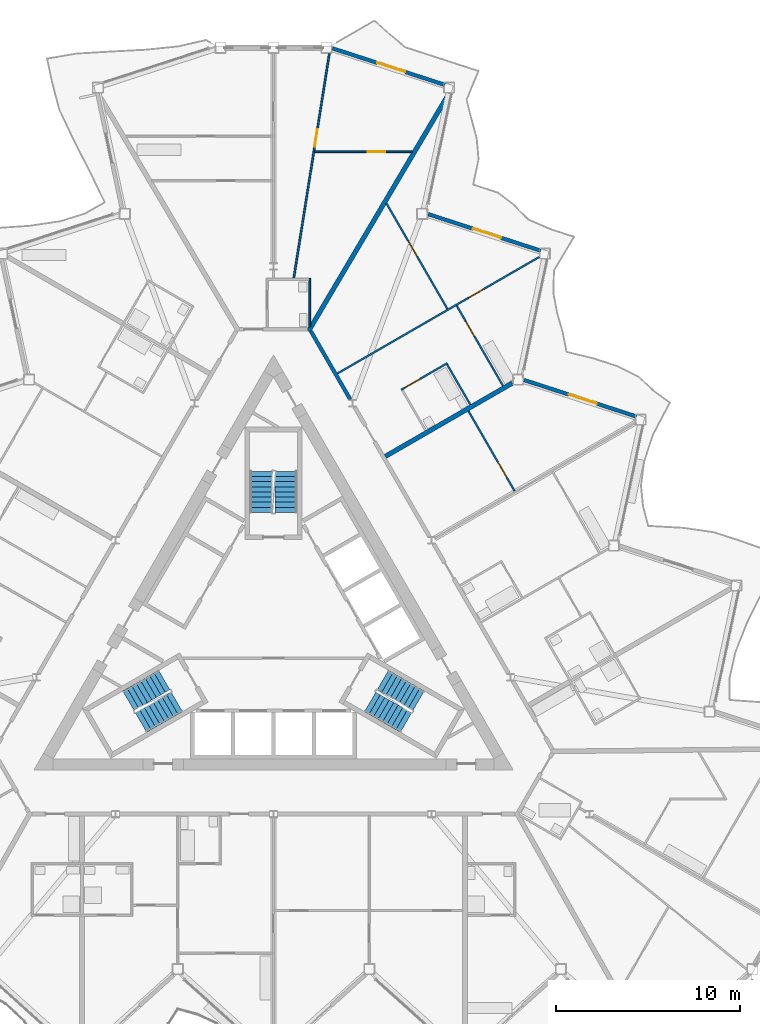
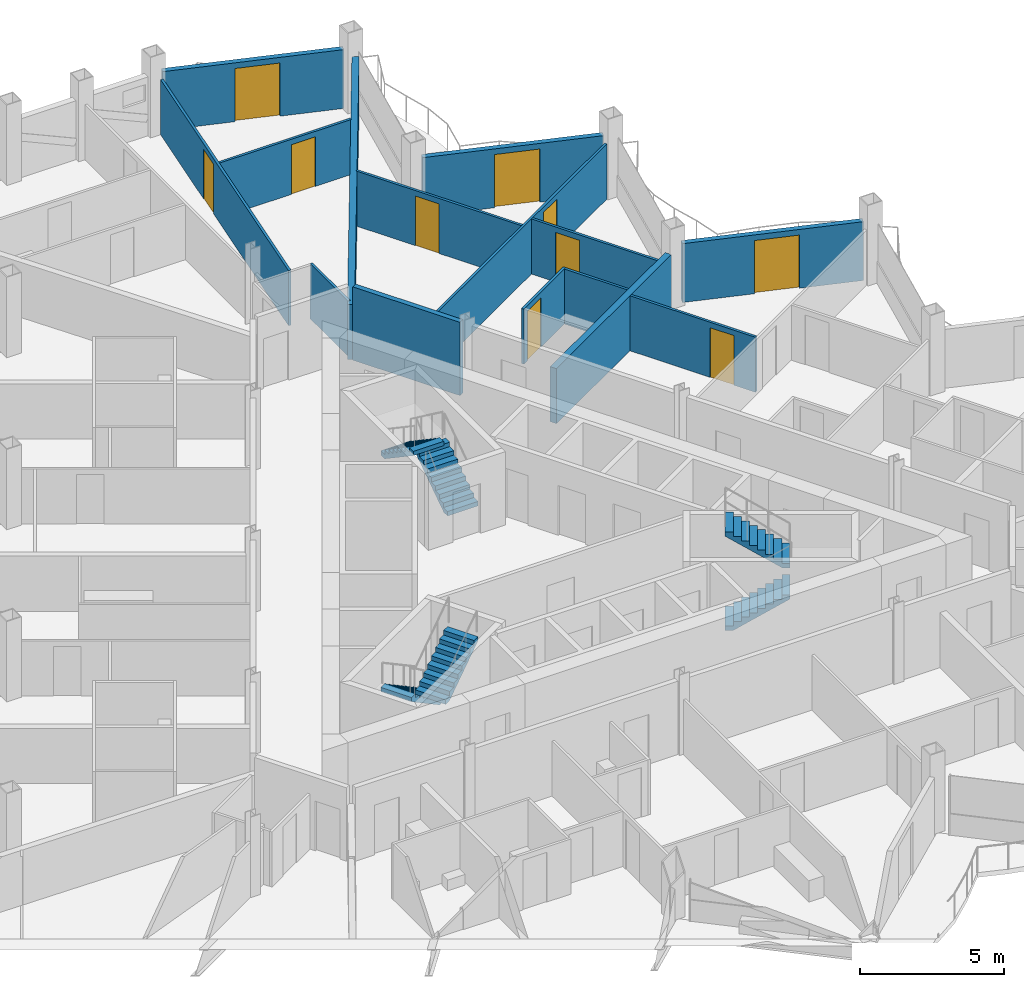
# One storey, part 19 of 27: 15 walls, 10 doors, 6 stair flights, 10 openings, 3 elements without a shape of their own.
"""IFC4 building model written with IfcOpenShell, lengths in metres."""

from ifc_helpers import new_model, si_unit, direction, frame, frame_2d, origin, place, context, subcontext, project, spatial, polyline, rectangle, outline, extrude, material, layer, layer_set, type_object, element, fill, aggregate, save


model = new_model("IFC4")

# Units and contexts
model_context = context("Model", 3, precision=1e-05, world=origin(), true_north=direction((0.0, 1.0)))
body_context = subcontext(model_context, "Body", "Model", "MODEL_VIEW")
ifc_project = project(units=[si_unit("LENGTHUNIT", "METRE"), si_unit("AREAUNIT", "SQUARE_METRE"), si_unit("VOLUMEUNIT", "CUBIC_METRE"), si_unit("PLANEANGLEUNIT", "RADIAN"), si_unit("MASSUNIT", "GRAM", prefix="KILO")], contexts=[model_context])

# Site, building, storey
site_placement = place(None, origin())
site = spatial("IfcSite", under=ifc_project, at=site_placement, CompositionType="ELEMENT")
building_placement = place(site_placement, origin())
building = spatial("IfcBuilding", under=site, at=building_placement, Name="Cormorant Prow Tower", CompositionType="ELEMENT")
storey_placement = place(building_placement, frame((0.0, 0.0, 332.39990234375)))
storey = spatial("IfcBuildingStorey", under=building, at=storey_placement, Name="L74", CompositionType="ELEMENT", Elevation=332.39990234375)

# Wall
ifc_material_1 = material(Name="Gypsum board corridor wall")
ifc_layer_1 = layer(ifc_material_1, 0.199951171875)
ifc_layer_set_1 = layer_set([ifc_layer_1], Name="Gypsum board corridor wall")
wall_type_1 = type_object("IfcWallType", Name="Corridor wall 200", PredefinedType="PARTITIONING", material=ifc_layer_set_1)
wall_1_placement = place(storey_placement, frame((2.025390625, 16.302978515625, 0.0), z_axis=(0.0, 0.0, 1.0), x_axis=(0.499978750566, -0.866037671803, 0.0)))
element("IfcWall", 1, at=wall_1_placement, inside=storey, type_object=wall_type_1, Name="Corridor wall", PredefinedType="PARTITIONING", context=body_context, shape_type="SweptSolid", body=[
    extrude(rectangle(XDim=4.287841796875, YDim=0.199951171875, at=frame_2d((2.14404296875, 0.0))), origin(), (0.0, 0.0, 1.0), 3.10009765625),
])

# Wall, opening, door
ifc_material_2 = material(Name="Gypsum board partition")
ifc_layer_2 = layer(ifc_material_2, 0.10009765625)
ifc_layer_set_2 = layer_set([ifc_layer_2], Name="Gypsum board partition")
wall_type_2 = type_object("IfcWallType", Name="Internal partition 100", PredefinedType="PARTITIONING", material=ifc_layer_set_2)
wall_2_placement = place(storey_placement, frame((3.46875, 14.0029296875, 0.0), z_axis=(0.0, 0.0, 1.0), x_axis=(0.866021563384, 0.50000665171, 0.0)))
wall_2 = element("IfcWall", 2, at=wall_2_placement, inside=storey, type_object=wall_type_2, Name="Internal partition", PredefinedType="PARTITIONING", context=body_context, shape_type="SweptSolid", body=[
    extrude(rectangle(XDim=12.641357421875, YDim=0.10009765625, at=frame_2d((6.32080078125, 0.0))), origin(), (0.0, 0.0, 1.0), 2.330078125),
])
opening_1_placement = place(wall_2_placement, frame((8.215087890625, 0.0, 0.0)))
opening_1 = element("IfcOpeningElement", 3, at=opening_1_placement, cuts=wall_2, Name="Opening L74-F35", PredefinedType="OPENING", context=body_context, shape_type="SweptSolid", body=[
    extrude(rectangle(XDim=0.949951171875, YDim=2.10009765625, at=frame_2d((0.47509765625, 1.050048828125))), frame((0.0, 0.06005859375, 0.0), z_axis=(0.0, -1.0, 0.0), x_axis=(1.0, 0.0, 0.0)), (0.0, 0.0, 1.0), 0.1201171875),
])
ifc_material_3 = material(Name="Timber door leaf", Category="wood")
door_type_1 = type_object("IfcDoorType", Name="Bathroom door 950x2100", OperationType="NOTDEFINED", PredefinedType="DOOR", material=ifc_material_3)
door_1_placement = place(opening_1_placement, origin())
door_1 = element("IfcDoor", 4, at=door_1_placement, inside=storey, type_object=door_type_1, Name="Kitchen door", OperationType="SINGLE_SWING_LEFT", OverallHeight=2.10009765625, OverallWidth=0.949951171875, PredefinedType="DOOR", context=body_context, shape_type="SweptSolid", body=[
    extrude(rectangle(XDim=0.949951171875, YDim=2.10009765625, at=frame_2d((0.47509765625, 1.050048828125))), frame((0.0, 0.02490234375, 0.0), z_axis=(0.0, -1.0, 0.0), x_axis=(1.0, 0.0, 0.0)), (0.0, 0.0, 1.0), 0.050048828125),
])
fill(opening_1, door_1)

wall_3_placement = place(storey_placement, frame((1.097900390625, 19.160400390625, 0.0), z_axis=(0.0, 0.0, 1.0), x_axis=(0.156426176129, 0.987689653394, 0.0)))
wall_3 = element("IfcWall", 5, at=wall_3_placement, inside=storey, type_object=wall_type_2, Name="Internal partition", PredefinedType="PARTITIONING", context=body_context, shape_type="SweptSolid", body=[
    extrude(rectangle(XDim=12.35791015625, YDim=0.10009765625, at=frame_2d((6.178955078125, 0.0))), origin(), (0.0, 0.0, 1.0), 2.330078125),
])
opening_2_placement = place(wall_3_placement, frame((7.2548828125, 0.0, 0.0)))
opening_2 = element("IfcOpeningElement", 6, at=opening_2_placement, cuts=wall_3, Name="Opening L74-F42", PredefinedType="OPENING", context=body_context, shape_type="SweptSolid", body=[
    extrude(rectangle(XDim=0.949951171875, YDim=2.10009765625, at=frame_2d((0.47509765625, 1.050048828125))), frame((0.0, 0.06005859375, 0.0), z_axis=(0.0, -1.0, 0.0), x_axis=(1.0, 0.0, 0.0)), (0.0, 0.0, 1.0), 0.1201171875),
])
door_2_placement = place(opening_2_placement, origin())
door_2 = element("IfcDoor", 7, at=door_2_placement, inside=storey, type_object=door_type_1, Name="Bedroom door", OperationType="SINGLE_SWING_LEFT", OverallHeight=2.10009765625, OverallWidth=0.949951171875, PredefinedType="DOOR", context=body_context, shape_type="SweptSolid", body=[
    extrude(rectangle(XDim=0.949951171875, YDim=2.10009765625, at=frame_2d((0.47509765625, 1.050048828125))), frame((0.0, 0.02490234375, 0.0), z_axis=(0.0, -1.0, 0.0), x_axis=(1.0, 0.0, 0.0)), (0.0, 0.0, 1.0), 0.050048828125),
])
fill(opening_2, door_2)

wall_4_placement = place(storey_placement, frame((6.127197265625, 23.2412109375, 0.0), z_axis=(0.0, 0.0, 1.0), x_axis=(0.500021410345, -0.866013042163, 0.0)))
wall_4 = element("IfcWall", 8, at=wall_4_placement, inside=storey, type_object=wall_type_2, Name="Internal partition", PredefinedType="PARTITIONING", context=body_context, shape_type="SweptSolid", body=[
    extrude(rectangle(XDim=6.621337890625, YDim=0.10009765625, at=frame_2d((3.310546875, 0.0))), origin(), (0.0, 0.0, 1.0), 2.330078125),
])
opening_3_placement = place(wall_4_placement, frame((2.37939453125, 0.0, 0.0)))
opening_3 = element("IfcOpeningElement", 9, at=opening_3_placement, cuts=wall_4, Name="Opening L74-F36", PredefinedType="OPENING", context=body_context, shape_type="SweptSolid", body=[
    extrude(rectangle(XDim=0.949951171875, YDim=2.10009765625, at=frame_2d((0.47509765625, 1.050048828125))), frame((0.0, 0.06005859375, 0.0), z_axis=(0.0, -1.0, 0.0), x_axis=(1.0, 0.0, 0.0)), (0.0, 0.0, 1.0), 0.1201171875),
])
door_3_placement = place(opening_3_placement, origin())
door_3 = element("IfcDoor", 10, at=door_3_placement, inside=storey, type_object=door_type_1, Name="Bedroom door", OperationType="SINGLE_SWING_RIGHT", OverallHeight=2.10009765625, OverallWidth=0.949951171875, PredefinedType="DOOR", context=body_context, shape_type="SweptSolid", body=[
    extrude(rectangle(XDim=0.949951171875, YDim=2.10009765625, at=frame_2d((0.47509765625, 1.050048828125))), frame((0.0, 0.02490234375, 0.0), z_axis=(0.0, -1.0, 0.0), x_axis=(1.0, 0.0, 0.0)), (0.0, 0.0, 1.0), 0.050048828125),
])
fill(opening_3, door_3)

wall_5_placement = place(storey_placement, frame((2.236572265625, 26.034423828125, 0.0), z_axis=(0.0, 0.0, 1.0), x_axis=(1.0, 0.0, 0.0)))
wall_5 = element("IfcWall", 11, at=wall_5_placement, inside=storey, type_object=wall_type_2, Name="Internal partition", PredefinedType="PARTITIONING", context=body_context, shape_type="SweptSolid", body=[
    extrude(rectangle(XDim=5.282470703125, YDim=0.10009765625, at=frame_2d((2.64111328125, 0.0))), origin(), (0.0, 0.0, 1.0), 2.330078125),
])
opening_4_placement = place(wall_5_placement, frame((2.8720703125, 0.0, 0.0)))
opening_4 = element("IfcOpeningElement", 12, at=opening_4_placement, cuts=wall_5, Name="Opening L74-F43", PredefinedType="OPENING", context=body_context, shape_type="SweptSolid", body=[
    extrude(rectangle(XDim=0.949951171875, YDim=2.10009765625, at=frame_2d((0.47509765625, 1.050048828125))), frame((0.0, 0.06005859375, 0.0), z_axis=(0.0, -1.0, 0.0), x_axis=(1.0, 0.0, 0.0)), (0.0, 0.0, 1.0), 0.1201171875),
])
door_4_placement = place(opening_4_placement, origin())
door_4 = element("IfcDoor", 13, at=door_4_placement, inside=storey, type_object=door_type_1, Name="Bedroom door", OperationType="SINGLE_SWING_RIGHT", OverallHeight=2.10009765625, OverallWidth=0.949951171875, PredefinedType="DOOR", context=body_context, shape_type="SweptSolid", body=[
    extrude(rectangle(XDim=0.949951171875, YDim=2.10009765625, at=frame_2d((0.47509765625, 1.050048828125))), frame((0.0, 0.02490234375, 0.0), z_axis=(0.0, -1.0, 0.0), x_axis=(1.0, 0.0, 0.0)), (0.0, 0.0, 1.0), 0.050048828125),
])
fill(opening_4, door_4)

wall_6_placement = place(storey_placement, frame((10.579345703125, 11.9638671875, 0.0), z_axis=(0.0, 0.0, 1.0), x_axis=(0.499972176429, -0.866041467135, 0.0)))
wall_6 = element("IfcWall", 14, at=wall_6_placement, inside=storey, type_object=wall_type_2, Name="Internal partition", PredefinedType="PARTITIONING", context=body_context, shape_type="SweptSolid", body=[
    extrude(rectangle(XDim=5.021240234375, YDim=0.10009765625, at=frame_2d((2.5107421875, 0.0))), origin(), (0.0, 0.0, 1.0), 2.330078125),
])
opening_5_placement = place(wall_6_placement, frame((3.208984375, 0.0, 0.0)))
opening_5 = element("IfcOpeningElement", 15, at=opening_5_placement, cuts=wall_6, Name="Opening L74-F30", PredefinedType="OPENING", context=body_context, shape_type="SweptSolid", body=[
    extrude(rectangle(XDim=0.949951171875, YDim=2.10009765625, at=frame_2d((0.47509765625, 1.050048828125))), frame((0.0, 0.06005859375, 0.0), z_axis=(0.0, -1.0, 0.0), x_axis=(1.0, 0.0, 0.0)), (0.0, 0.0, 1.0), 0.1201171875),
])
door_5_placement = place(opening_5_placement, origin())
door_5 = element("IfcDoor", 16, at=door_5_placement, inside=storey, type_object=door_type_1, Name="Bedroom door", OperationType="SINGLE_SWING_RIGHT", OverallHeight=2.10009765625, OverallWidth=0.949951171875, PredefinedType="DOOR", context=body_context, shape_type="SweptSolid", body=[
    extrude(rectangle(XDim=0.949951171875, YDim=2.10009765625, at=frame_2d((0.47509765625, 1.050048828125))), frame((0.0, 0.02490234375, 0.0), z_axis=(0.0, -1.0, 0.0), x_axis=(1.0, 0.0, 0.0)), (0.0, 0.0, 1.0), 0.050048828125),
])
fill(opening_5, door_5)

wall_7_placement = place(storey_placement, frame((9.943603515625, 17.68359375, 0.0), z_axis=(0.0, 0.0, 1.0), x_axis=(0.499972176429, -0.866041467135, 0.0)))
wall_7 = element("IfcWall", 17, at=wall_7_placement, inside=storey, type_object=wall_type_2, Name="Internal partition", PredefinedType="PARTITIONING", context=body_context, shape_type="SweptSolid", body=[
    extrude(rectangle(XDim=5.021240234375, YDim=0.10009765625, at=frame_2d((2.5107421875, 0.0))), origin(), (0.0, 0.0, 1.0), 2.330078125),
])
opening_6_placement = place(wall_7_placement, frame((0.96435546875, 0.0, 0.0)))
opening_6 = element("IfcOpeningElement", 18, at=opening_6_placement, cuts=wall_7, Name="Opening L74-F34", PredefinedType="OPENING", context=body_context, shape_type="SweptSolid", body=[
    extrude(rectangle(XDim=0.949951171875, YDim=2.10009765625, at=frame_2d((0.47509765625, 1.050048828125))), frame((0.0, 0.06005859375, 0.0), z_axis=(0.0, -1.0, 0.0), x_axis=(1.0, 0.0, 0.0)), (0.0, 0.0, 1.0), 0.1201171875),
])
door_6_placement = place(opening_6_placement, origin())
door_6 = element("IfcDoor", 19, at=door_6_placement, inside=storey, type_object=door_type_1, Name="Living room door", OperationType="SINGLE_SWING_LEFT", OverallHeight=2.10009765625, OverallWidth=0.949951171875, PredefinedType="DOOR", context=body_context, shape_type="SweptSolid", body=[
    extrude(rectangle(XDim=0.949951171875, YDim=2.10009765625, at=frame_2d((0.47509765625, 1.050048828125))), frame((0.0, 0.02490234375, 0.0), z_axis=(0.0, -1.0, 0.0), x_axis=(1.0, 0.0, 0.0)), (0.0, 0.0, 1.0), 0.050048828125),
])
fill(opening_6, door_6)

wall_8_placement = place(storey_placement, frame((6.92529296875, 13.1162109375, 0.0), z_axis=(0.0, 0.0, 1.0), x_axis=(0.866032775405, 0.499987231761, 0.0)))
wall_8 = element("IfcWall", 20, at=wall_8_placement, inside=storey, type_object=wall_type_2, Name="Internal partition", PredefinedType="PARTITIONING", context=body_context, shape_type="SweptSolid", body=[
    extrude(rectangle(XDim=2.89990234375, YDim=0.10009765625, at=frame_2d((1.449951171875, 0.0))), origin(), (0.0, 0.0, 1.0), 2.330078125),
])
opening_7_placement = place(wall_8_placement, frame((0.25, 0.0, 0.0)))
opening_7 = element("IfcOpeningElement", 21, at=opening_7_placement, cuts=wall_8, Name="Opening L74-F33", PredefinedType="OPENING", context=body_context, shape_type="SweptSolid", body=[
    extrude(rectangle(XDim=0.949951171875, YDim=2.10009765625, at=frame_2d((0.47509765625, 1.050048828125))), frame((0.0, 0.06005859375, 0.0), z_axis=(0.0, -1.0, 0.0), x_axis=(1.0, 0.0, 0.0)), (0.0, 0.0, 1.0), 0.1201171875),
])
door_7_placement = place(opening_7_placement, origin())
door_7 = element("IfcDoor", 22, at=door_7_placement, inside=storey, type_object=door_type_1, Name="Living room door", OperationType="SINGLE_SWING_LEFT", OverallHeight=2.10009765625, OverallWidth=0.949951171875, PredefinedType="DOOR", context=body_context, shape_type="SweptSolid", body=[
    extrude(rectangle(XDim=0.949951171875, YDim=2.10009765625, at=frame_2d((0.47509765625, 1.050048828125))), frame((0.0, 0.02490234375, 0.0), z_axis=(0.0, -1.0, 0.0), x_axis=(1.0, 0.0, 0.0)), (0.0, 0.0, 1.0), 0.050048828125),
])
fill(opening_7, door_7)

# Walls
wall_9_placement = place(storey_placement, frame((1.962890625, 16.5361328125, 0.0), z_axis=(0.0, 0.0, 1.0), x_axis=(0.0, 1.0, 0.0)))
element("IfcWall", 23, at=wall_9_placement, inside=storey, type_object=wall_type_2, Name="Internal partition", PredefinedType="PARTITIONING", context=body_context, shape_type="SweptSolid", body=[
    extrude(rectangle(XDim=2.625, YDim=0.10009765625, at=frame_2d((1.3125, 0.0))), origin(), (0.0, 0.0, 1.0), 2.330078125),
])
wall_10_placement = place(storey_placement, frame((9.41845703125, 14.497802734375, 0.0), z_axis=(0.0, 0.0, 1.0), x_axis=(0.499976333282, -0.866039067339, 0.0)))
element("IfcWall", 24, at=wall_10_placement, inside=storey, type_object=wall_type_2, Name="Internal partition", PredefinedType="PARTITIONING", context=body_context, shape_type="SweptSolid", body=[
    extrude(rectangle(XDim=2.52490234375, YDim=0.10009765625, at=frame_2d((1.262451171875, 0.0))), origin(), (0.0, 0.0, 1.0), 2.330078125),
])
ifc_material_4 = material(Name="Acoustic gypsum party wall")
ifc_layer_3 = layer(ifc_material_4, 0.25)
ifc_layer_set_3 = layer_set([ifc_layer_3], Name="Acoustic gypsum party wall")
wall_type_3 = type_object("IfcWallType", Name="Suite party wall 250", PredefinedType="PARTITIONING", material=ifc_layer_set_3)
wall_11_placement = place(storey_placement, frame((1.8994140625, 16.303466796875, 0.0), z_axis=(0.0, 0.0, 1.0), x_axis=(0.508895604687, 0.860828242758, 0.0)))
element("IfcWall", 25, at=wall_11_placement, inside=storey, type_object=wall_type_3, Name="Suite party wall", PredefinedType="PARTITIONING", context=body_context, shape_type="SweptSolid", body=[
    extrude(rectangle(XDim=14.986328125, YDim=0.25, at=frame_2d((7.4931640625, 0.0))), origin(), (0.0, 0.0, 1.0), 2.330078125),
])
wall_12_placement = place(storey_placement, frame((6.06689453125, 9.5029296875, 0.0), z_axis=(0.0, 0.0, 1.0), x_axis=(0.866032392051, 0.499987895772, 0.0)))
element("IfcWall", 26, at=wall_12_placement, inside=storey, type_object=wall_type_3, Name="Suite party wall", PredefinedType="PARTITIONING", context=body_context, shape_type="SweptSolid", body=[
    extrude(rectangle(XDim=7.961669921875, YDim=0.25, at=frame_2d((3.98095703125, 0.0))), origin(), (0.0, 0.0, 1.0), 2.330078125),
])

# Wall, opening, door
ifc_material_5 = material(Name="Terracotta", Category="masonry")
ifc_layer_4 = layer(ifc_material_5, 0.199951171875)
ifc_layer_set_4 = layer_set([ifc_layer_4], Name="Terracotta")
wall_type_4 = type_object("IfcWallType", Name="Terracotta jamb wall 200", PredefinedType="SOLIDWALL", material=ifc_layer_set_4)
wall_13_placement = place(storey_placement, frame((19.697021484375, 11.667236328125, 0.0), z_axis=(0.0, 0.0, 1.0), x_axis=(-0.951053926112, 0.309024966026, 0.0)))
wall_13 = element("IfcWall", 27, at=wall_13_placement, inside=storey, type_object=wall_type_4, Name="Terracotta jamb wall ENE05", PredefinedType="SOLIDWALL", context=body_context, shape_type="SweptSolid", body=[
    extrude(rectangle(XDim=6.414306640625, YDim=0.199951171875, at=frame_2d((3.20703125, 0.0))), origin(), (0.0, 0.0, 1.0), 2.488037109375),
])
opening_8_placement = place(wall_13_placement, frame((2.26220703125, 0.0, 0.0)))
opening_8 = element("IfcOpeningElement", 28, at=opening_8_placement, cuts=wall_13, Name="Opening ED74.08", PredefinedType="OPENING", context=body_context, shape_type="SweptSolid", body=[
    extrude(rectangle(XDim=1.60009765625, YDim=2.25, at=frame_2d((0.800048828125, 1.125))), frame((0.0, 0.10986328125, 0.0), z_axis=(0.0, -1.0, 0.0), x_axis=(1.0, 0.0, 0.0)), (0.0, 0.0, 1.0), 0.219970703125),
])
ifc_material_6 = material(Name="Aluminium 6063-T6", Category="aluminium")
door_type_2 = type_object("IfcDoorType", Name="Balcony door 1600x2250", OperationType="DOUBLE_DOOR_SINGLE_SWING", PredefinedType="DOOR", material=ifc_material_6)
door_8_placement = place(opening_8_placement, origin())
door_8 = element("IfcDoor", 29, at=door_8_placement, inside=storey, type_object=door_type_2, Name="Balcony door ENE05 ED74.08", OperationType="DOUBLE_DOOR_SINGLE_SWING", OverallHeight=2.25, OverallWidth=1.60009765625, PredefinedType="DOOR", context=body_context, shape_type="SweptSolid", body=[
    extrude(rectangle(XDim=1.60009765625, YDim=2.25, at=frame_2d((0.800048828125, 1.125))), frame((0.0, 0.02490234375, 0.0), z_axis=(0.0, -1.0, 0.0), x_axis=(1.0, 0.0, 0.0)), (0.0, 0.0, 1.0), 0.050048828125),
])
fill(opening_8, door_8)

wall_14_placement = place(storey_placement, frame((14.500732421875, 20.66748046875, 0.0), z_axis=(0.0, 0.0, 1.0), x_axis=(-0.951049165164, 0.309039617915, 0.0)))
wall_14 = element("IfcWall", 30, at=wall_14_placement, inside=storey, type_object=wall_type_4, Name="Terracotta jamb wall ENE07", PredefinedType="SOLIDWALL", context=body_context, shape_type="SweptSolid", body=[
    extrude(rectangle(XDim=6.417236328125, YDim=0.199951171875, at=frame_2d((3.20849609375, 0.0))), origin(), (0.0, 0.0, 1.0), 2.488037109375),
])
opening_9_placement = place(wall_14_placement, frame((2.26220703125, 0.0, 0.0)))
opening_9 = element("IfcOpeningElement", 31, at=opening_9_placement, cuts=wall_14, Name="Opening ED74.09", PredefinedType="OPENING", context=body_context, shape_type="SweptSolid", body=[
    extrude(rectangle(XDim=1.60009765625, YDim=2.25, at=frame_2d((0.800048828125, 1.125))), frame((0.0, 0.10986328125, 0.0), z_axis=(0.0, -1.0, 0.0), x_axis=(1.0, 0.0, 0.0)), (0.0, 0.0, 1.0), 0.219970703125),
])
door_9_placement = place(opening_9_placement, origin())
door_9 = element("IfcDoor", 32, at=door_9_placement, inside=storey, type_object=door_type_2, Name="Balcony door ENE07 ED74.09", OperationType="DOUBLE_DOOR_SINGLE_SWING", OverallHeight=2.25, OverallWidth=1.60009765625, PredefinedType="DOOR", context=body_context, shape_type="SweptSolid", body=[
    extrude(rectangle(XDim=1.60009765625, YDim=2.25, at=frame_2d((0.800048828125, 1.125))), frame((0.0, 0.02490234375, 0.0), z_axis=(0.0, -1.0, 0.0), x_axis=(1.0, 0.0, 0.0)), (0.0, 0.0, 1.0), 0.050048828125),
])
fill(opening_9, door_9)

wall_15_placement = place(storey_placement, frame((9.304443359375, 29.667724609375, 0.0), z_axis=(0.0, 0.0, 1.0), x_axis=(-0.951059216388, 0.309008684221, 0.0)))
wall_15 = element("IfcWall", 33, at=wall_15_placement, inside=storey, type_object=wall_type_4, Name="Terracotta jamb wall ENE09", PredefinedType="SOLIDWALL", context=body_context, shape_type="SweptSolid", body=[
    extrude(rectangle(XDim=6.420166015625, YDim=0.199951171875, at=frame_2d((3.2099609375, 0.0))), origin(), (0.0, 0.0, 1.0), 2.488037109375),
])
opening_10_placement = place(wall_15_placement, frame((2.26220703125, 0.0, 0.0)))
opening_10 = element("IfcOpeningElement", 34, at=opening_10_placement, cuts=wall_15, Name="Opening ED74.10", PredefinedType="OPENING", context=body_context, shape_type="SweptSolid", body=[
    extrude(rectangle(XDim=1.60009765625, YDim=2.25, at=frame_2d((0.800048828125, 1.125))), frame((0.0, 0.10986328125, 0.0), z_axis=(0.0, -1.0, 0.0), x_axis=(1.0, 0.0, 0.0)), (0.0, 0.0, 1.0), 0.219970703125),
])
door_10_placement = place(opening_10_placement, origin())
door_10 = element("IfcDoor", 35, at=door_10_placement, inside=storey, type_object=door_type_2, Name="Balcony door ENE09 ED74.10", OperationType="DOUBLE_DOOR_SINGLE_SWING", OverallHeight=2.25, OverallWidth=1.60009765625, PredefinedType="DOOR", context=body_context, shape_type="SweptSolid", body=[
    extrude(rectangle(XDim=1.60009765625, YDim=2.25, at=frame_2d((0.800048828125, 1.125))), frame((0.0, 0.02490234375, 0.0), z_axis=(0.0, -1.0, 0.0), x_axis=(1.0, 0.0, 0.0)), (0.0, 0.0, 1.0), 0.050048828125),
])
fill(opening_10, door_10)

# Stair, stair flights
ifc_material_7 = material(Name="Exit stair 18 risers")
stair_type = type_object("IfcStairType", Name="Exit stair 18 risers", PredefinedType="HALF_TURN_STAIR", material=ifc_material_7)
stair_1_placement = place(storey_placement, origin())
stair_1 = element("IfcStair", 36, at=stair_1_placement, inside=storey, type_object=stair_type, Name="L74 Exit stair ST1", PredefinedType="HALF_TURN_STAIR")
ifc_material_8 = material(Name="Concrete 5000 psi", Category="concrete")
stair_flight_type = type_object("IfcStairFlightType", Name="Stair flight 1219", PredefinedType="STRAIGHT", material=ifc_material_8)
stair_flight_1_placement = place(storey_placement, frame((-5.93310546875, -2.635009765625, 0.0), z_axis=(0.0, 0.0, 1.0), x_axis=(-0.866025403784, -0.5, 0.0)))
stair_flight_1 = element("IfcStairFlight", 37, at=stair_flight_1_placement, type_object=stair_flight_type, Name="ST1 flight 1", NumberOfRisers=9, NumberOfTreads=8, PredefinedType="STRAIGHT", RiserHeight=0.188888889, TreadLength=0.28, context=body_context, shape_type="SweptSolid", body=[
    extrude(outline(polyline([(0.0, 0.0), (0.0, 0.18896484375), (0.280029296875, 0.18896484375), (0.280029296875, 0.377685546875), (0.56005859375, 0.377685546875), (0.56005859375, 0.566650390625), (0.840087890625, 0.566650390625), (0.840087890625, 0.755615234375), (1.1201171875, 0.755615234375), (1.1201171875, 0.9443359375), (1.39990234375, 0.9443359375), (1.39990234375, 1.13330078125), (1.679931640625, 1.13330078125), (1.679931640625, 1.322265625), (1.9599609375, 1.322265625), (1.9599609375, 1.51123046875), (2.239990234375, 1.51123046875), (2.239990234375, 1.699951171875), (2.239990234375, 1.330322265625), (0.26806640625, 0.0), (0.0, 0.0)])), frame((0.0, 0.609375, 0.0), z_axis=(0.0, -1.0, 0.0), x_axis=(1.0, 0.0, 0.0)), (0.0, 0.0, 1.0), 1.218994140625),
])
stair_flight_2_placement = place(storey_placement, frame((-7.1884765625, -4.940673828125, 1.7001953125), z_axis=(0.0, 0.0, 1.0), x_axis=(0.866025403784, 0.5, 0.0)))
stair_flight_2 = element("IfcStairFlight", 38, at=stair_flight_2_placement, type_object=stair_flight_type, Name="ST1 flight 2", NumberOfRisers=9, NumberOfTreads=8, PredefinedType="STRAIGHT", RiserHeight=0.188888889, TreadLength=0.28, context=body_context, shape_type="SweptSolid", body=[
    extrude(outline(polyline([(0.0, 0.0), (0.0, 0.18896484375), (0.280029296875, 0.18896484375), (0.280029296875, 0.377685546875), (0.56005859375, 0.377685546875), (0.56005859375, 0.566650390625), (0.840087890625, 0.566650390625), (0.840087890625, 0.755615234375), (1.1201171875, 0.755615234375), (1.1201171875, 0.9443359375), (1.39990234375, 0.9443359375), (1.39990234375, 1.13330078125), (1.679931640625, 1.13330078125), (1.679931640625, 1.322265625), (1.9599609375, 1.322265625), (1.9599609375, 1.51123046875), (2.239990234375, 1.51123046875), (2.239990234375, 1.699951171875), (2.239990234375, 1.330322265625), (0.26806640625, 0.0), (0.0, 0.0)])), frame((0.0, 0.609375, 0.0), z_axis=(0.0, -1.0, 0.0), x_axis=(1.0, 0.0, 0.0)), (0.0, 0.0, 1.0), 1.218994140625),
])
aggregate(stair_1, [stair_flight_1, stair_flight_2])

stair_2_placement = place(storey_placement, origin())
stair_2 = element("IfcStair", 39, at=stair_2_placement, inside=storey, type_object=stair_type, Name="L74 Exit stair ST2", PredefinedType="HALF_TURN_STAIR")
stair_flight_3_placement = place(storey_placement, frame((5.24853515625, -3.82080078125, 0.0), z_axis=(0.0, 0.0, 1.0), x_axis=(0.866025403784, -0.5, 0.0)))
stair_flight_3 = element("IfcStairFlight", 40, at=stair_flight_3_placement, type_object=stair_flight_type, Name="ST2 flight 1", NumberOfRisers=9, NumberOfTreads=8, PredefinedType="STRAIGHT", RiserHeight=0.188888889, TreadLength=0.28, context=body_context, shape_type="SweptSolid", body=[
    extrude(outline(polyline([(0.0, 0.0), (0.0, 0.18896484375), (0.280029296875, 0.18896484375), (0.280029296875, 0.377685546875), (0.56005859375, 0.377685546875), (0.56005859375, 0.566650390625), (0.840087890625, 0.566650390625), (0.840087890625, 0.755615234375), (1.1201171875, 0.755615234375), (1.1201171875, 0.9443359375), (1.39990234375, 0.9443359375), (1.39990234375, 1.13330078125), (1.679931640625, 1.13330078125), (1.679931640625, 1.322265625), (1.9599609375, 1.322265625), (1.9599609375, 1.51123046875), (2.239990234375, 1.51123046875), (2.239990234375, 1.699951171875), (2.239990234375, 1.330322265625), (0.26806640625, 0.0), (0.0, 0.0)])), frame((0.0, 0.609375, 0.0), z_axis=(0.0, -1.0, 0.0), x_axis=(1.0, 0.0, 0.0)), (0.0, 0.0, 1.0), 1.218994140625),
])
stair_flight_4_placement = place(storey_placement, frame((7.873046875, -3.755126953125, 1.7001953125), z_axis=(0.0, 0.0, 1.0), x_axis=(-0.866025403784, 0.5, 0.0)))
stair_flight_4 = element("IfcStairFlight", 41, at=stair_flight_4_placement, type_object=stair_flight_type, Name="ST2 flight 2", NumberOfRisers=9, NumberOfTreads=8, PredefinedType="STRAIGHT", RiserHeight=0.188888889, TreadLength=0.28, context=body_context, shape_type="SweptSolid", body=[
    extrude(outline(polyline([(0.0, 0.0), (0.0, 0.18896484375), (0.280029296875, 0.18896484375), (0.280029296875, 0.377685546875), (0.56005859375, 0.377685546875), (0.56005859375, 0.566650390625), (0.840087890625, 0.566650390625), (0.840087890625, 0.755615234375), (1.1201171875, 0.755615234375), (1.1201171875, 0.9443359375), (1.39990234375, 0.9443359375), (1.39990234375, 1.13330078125), (1.679931640625, 1.13330078125), (1.679931640625, 1.322265625), (1.9599609375, 1.322265625), (1.9599609375, 1.51123046875), (2.239990234375, 1.51123046875), (2.239990234375, 1.699951171875), (2.239990234375, 1.330322265625), (0.26806640625, 0.0), (0.0, 0.0)])), frame((0.0, 0.609375, 0.0), z_axis=(0.0, -1.0, 0.0), x_axis=(1.0, 0.0, 0.0)), (0.0, 0.0, 1.0), 1.218994140625),
])
aggregate(stair_2, [stair_flight_3, stair_flight_4])

stair_3_placement = place(storey_placement, origin())
stair_3 = element("IfcStair", 42, at=stair_3_placement, inside=storey, type_object=stair_type, Name="L74 Exit stair ST3", PredefinedType="HALF_TURN_STAIR")
stair_flight_5_placement = place(storey_placement, frame((0.6845703125, 6.455810546875, 0.0), z_axis=(0.0, 0.0, 1.0), x_axis=(0.0, 1.0, 0.0)))
stair_flight_5 = element("IfcStairFlight", 43, at=stair_flight_5_placement, type_object=stair_flight_type, Name="ST3 flight 1", NumberOfRisers=9, NumberOfTreads=8, PredefinedType="STRAIGHT", RiserHeight=0.188888889, TreadLength=0.28, context=body_context, shape_type="SweptSolid", body=[
    extrude(outline(polyline([(0.0, 0.0), (0.0, 0.18896484375), (0.280029296875, 0.18896484375), (0.280029296875, 0.377685546875), (0.56005859375, 0.377685546875), (0.56005859375, 0.566650390625), (0.840087890625, 0.566650390625), (0.840087890625, 0.755615234375), (1.1201171875, 0.755615234375), (1.1201171875, 0.9443359375), (1.39990234375, 0.9443359375), (1.39990234375, 1.13330078125), (1.679931640625, 1.13330078125), (1.679931640625, 1.322265625), (1.9599609375, 1.322265625), (1.9599609375, 1.51123046875), (2.239990234375, 1.51123046875), (2.239990234375, 1.699951171875), (2.239990234375, 1.330322265625), (0.26806640625, 0.0), (0.0, 0.0)])), frame((0.0, 0.609375, 0.0), z_axis=(0.0, -1.0, 0.0), x_axis=(1.0, 0.0, 0.0)), (0.0, 0.0, 1.0), 1.218994140625),
])
stair_flight_6_placement = place(storey_placement, frame((-0.6845703125, 8.69580078125, 1.7001953125), z_axis=(0.0, 0.0, 1.0), x_axis=(0.0, -1.0, 0.0)))
stair_flight_6 = element("IfcStairFlight", 44, at=stair_flight_6_placement, type_object=stair_flight_type, Name="ST3 flight 2", NumberOfRisers=9, NumberOfTreads=8, PredefinedType="STRAIGHT", RiserHeight=0.188888889, TreadLength=0.28, context=body_context, shape_type="SweptSolid", body=[
    extrude(outline(polyline([(0.0, 0.0), (0.0, 0.18896484375), (0.280029296875, 0.18896484375), (0.280029296875, 0.377685546875), (0.56005859375, 0.377685546875), (0.56005859375, 0.566650390625), (0.840087890625, 0.566650390625), (0.840087890625, 0.755615234375), (1.1201171875, 0.755615234375), (1.1201171875, 0.9443359375), (1.39990234375, 0.9443359375), (1.39990234375, 1.13330078125), (1.679931640625, 1.13330078125), (1.679931640625, 1.322265625), (1.9599609375, 1.322265625), (1.9599609375, 1.51123046875), (2.239990234375, 1.51123046875), (2.239990234375, 1.699951171875), (2.239990234375, 1.330322265625), (0.26806640625, 0.0), (0.0, 0.0)])), frame((0.0, 0.609375, 0.0), z_axis=(0.0, -1.0, 0.0), x_axis=(1.0, 0.0, 0.0)), (0.0, 0.0, 1.0), 1.218994140625),
])
aggregate(stair_3, [stair_flight_5, stair_flight_6])

save(model, "model.ifc")
